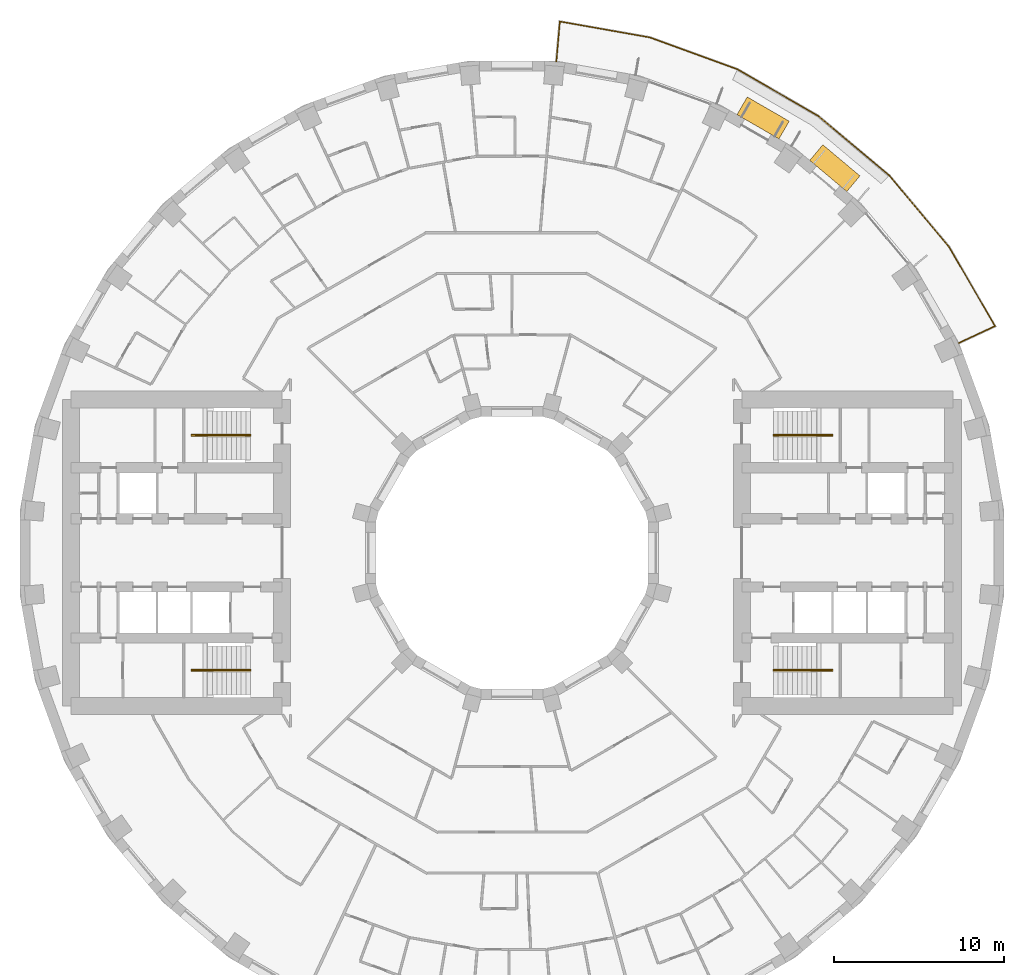
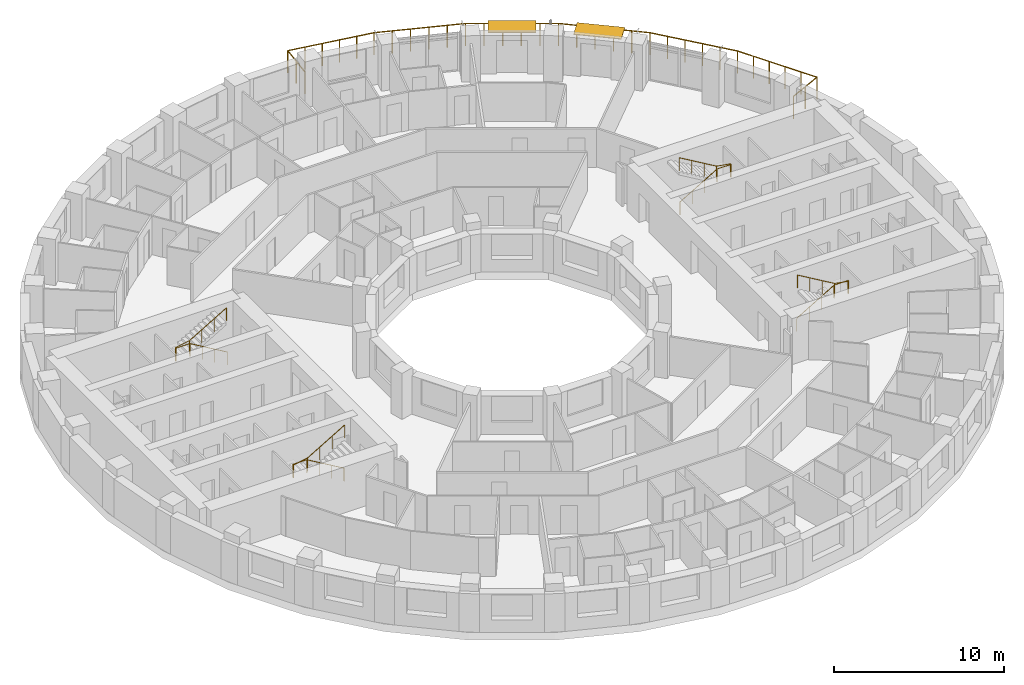
# One storey, part 15 of 15: 5 railings, 2 shading devices.
"""IFC4 building model written with IfcOpenShell, lengths in metres."""

import ifcopenshell
import ifcopenshell.guid

model = None  # the IFC model being written
_history = None  # IfcOwnerHistory: only IFC2X3 demands one
_inside = {}  # id of a spatial element -> (the spatial element, [elements in it])
_under = {}  # id of a project, library or spatial element -> (it, [spatial elements below it])
_declared = {}  # id of a project -> (the project, [libraries it declares])
_typed = {}  # id of a type object -> (the type object, [elements of that type])
_made_of = {}  # id of a material, layer set ... -> (it, [elements and type objects made of it])


def new_model(schema):
    """Start an empty IFC model of exactly this schema.

    Asked for "IFC4X3", IfcOpenShell would pick the latest addendum, in which some entities
    have other attributes; the version numbers below select the first issue.
    IFC2X3 requires an IfcOwnerHistory on every rooted entity: one is made here for all.
    """
    global model, _history
    if schema == "IFC4X3":
        model = ifcopenshell.file(schema_version=(4, 3, 0, 0))
    else:
        model = ifcopenshell.file(schema=schema)
    _inside.clear()
    _under.clear()
    _declared.clear()
    _typed.clear()
    _made_of.clear()
    _history = None
    if model.schema == "IFC2X3":
        org = make("IfcOrganization", Name="unknown")
        user = make(
            "IfcPersonAndOrganization",
            ThePerson=make("IfcPerson", FamilyName="unknown"),
            TheOrganization=org,
        )
        app = make(
            "IfcApplication",
            ApplicationDeveloper=org,
            Version="unknown",
            ApplicationFullName="unknown",
            ApplicationIdentifier="unknown",
        )
        _history = make(
            "IfcOwnerHistory",
            OwningUser=user,
            OwningApplication=app,
            ChangeAction="ADDED",
            CreationDate=0,
        )
    return model


def make(cls, **values):
    """One entity of the class cls with the attributes given. An attribute that is None is left unset."""
    return model.create_entity(
        cls, **{name: value for name, value in values.items() if value is not None}
    )


def rooted(cls, **values):
    """An entity with a GlobalId (a new one), such as an element, a storey or a relation."""
    return make(cls, GlobalId=ifcopenshell.guid.new(), OwnerHistory=_history, **values)


def si_unit(unit_type, name, prefix=None):
    """IfcSIUnit, for example si_unit("LENGTHUNIT", "METRE", prefix="MILLI")."""
    return make("IfcSIUnit", UnitType=unit_type, Prefix=prefix, Name=name)


def assignment(units):
    """IfcUnitAssignment: the units of a project."""
    return None if units is None else make("IfcUnitAssignment", Units=units)


def point(xyz):
    """IfcCartesianPoint."""
    return None if xyz is None else make("IfcCartesianPoint", Coordinates=xyz)


def direction(xyz):
    """IfcDirection."""
    return None if xyz is None else make("IfcDirection", DirectionRatios=xyz)


def frame(location, z_axis=None, x_axis=None):
    """IfcAxis2Placement3D, a coordinate frame: its origin and axes. An axis left out is left unset."""
    return make(
        "IfcAxis2Placement3D",
        Location=point(location),
        Axis=direction(z_axis),
        RefDirection=direction(x_axis),
    )


def frame_2d(location, x_axis=None):
    """IfcAxis2Placement2D, a coordinate frame in the plane: its origin and x axis."""
    return make(
        "IfcAxis2Placement2D", Location=point(location), RefDirection=direction(x_axis)
    )


def origin():
    """The frame at (0, 0, 0) with its axes left unset."""
    return frame((0.0, 0.0, 0.0))


def origin_2d():
    """The frame at (0, 0) in the plane with its x axis left unset."""
    return frame_2d((0.0, 0.0))


def place(relative_to, where):
    """IfcLocalPlacement: puts the frame where relative to a parent placement (None: the world)."""
    return make(
        "IfcLocalPlacement", PlacementRelTo=relative_to, RelativePlacement=where
    )


def context(
    kind, dimensions, precision=None, world=None, true_north=None, identifier=None
):
    """IfcGeometricRepresentationContext, for example the 3D "Model" context."""
    return make(
        "IfcGeometricRepresentationContext",
        ContextIdentifier=identifier,
        ContextType=kind,
        CoordinateSpaceDimension=dimensions,
        Precision=precision,
        WorldCoordinateSystem=world,
        TrueNorth=true_north,
    )


def subcontext(parent, identifier, kind, view, scale=None):
    """IfcGeometricRepresentationSubContext, for example "Body" below "Model"."""
    return make(
        "IfcGeometricRepresentationSubContext",
        ContextIdentifier=identifier,
        ContextType=kind,
        ParentContext=parent,
        TargetScale=scale,
        TargetView=view,
    )


def project(units=None, contexts=None):
    """IfcProject with its units and contexts."""
    return rooted(
        "IfcProject",
        Name="project",
        RepresentationContexts=contexts,
        UnitsInContext=assignment(units),
    )


def spatial(cls, under=None, at=None, **own):
    """A site, building, storey or space (cls), placed at a placement, below another one or the project."""
    s = rooted(cls, ObjectPlacement=at, **own)
    if under is not None:
        _under.setdefault(under.id(), (under, []))[1].append(s)
    return s


def profile(cls, at=None, kind="AREA", **sizes):
    """A parametric profile (cls). Its sizes go by their IFC names, for example OverallWidth=200.0."""
    return make(cls, ProfileType=kind, Position=at, **sizes)


def rectangle(**sizes):
    """IfcRectangleProfileDef."""
    return profile("IfcRectangleProfileDef", **sizes)


def circle(**sizes):
    """IfcCircleProfileDef."""
    return profile("IfcCircleProfileDef", **sizes)


def extrude(swept, where, along, depth):
    """IfcExtrudedAreaSolid: the profile swept, set in the frame where, extruded along a direction by depth."""
    return make(
        "IfcExtrudedAreaSolid",
        SweptArea=swept,
        Position=where,
        ExtrudedDirection=direction(along),
        Depth=depth,
    )


def shape(context_of_items, identifier, shape_type, items):
    """IfcShapeRepresentation: the items that make up one representation, for example the "Body"."""
    return make(
        "IfcShapeRepresentation",
        ContextOfItems=context_of_items,
        RepresentationIdentifier=identifier,
        RepresentationType=shape_type,
        Items=items,
    )


def material(Name=None, Category=None):
    """IfcMaterial."""
    return make("IfcMaterial", Name=Name, Category=Category)


def layer(
    of_material, thickness, ventilated=None, Name=None, Category=None, Priority=None
):
    """IfcMaterialLayer: one layer of a wall or slab, of a material (None: an air gap)."""
    return make(
        "IfcMaterialLayer",
        Material=of_material,
        LayerThickness=thickness,
        IsVentilated=ventilated,
        Name=Name,
        Category=Category,
        Priority=Priority,
    )


def layer_set(layers, Name=None):
    """IfcMaterialLayerSet."""
    return make("IfcMaterialLayerSet", MaterialLayers=layers, LayerSetName=Name)


def made_of(thing, what):
    """Note that an element or type object is made of a material, layer set ...; save() writes the relation."""
    if what is not None:
        _made_of.setdefault(what.id(), (what, []))[1].append(thing)
    return thing


def type_object(cls, material=None, **own):
    """A type object (cls), such as IfcWallType, which elements share."""
    return made_of(rooted(cls, **own), material)


def element(
    cls,
    number,
    at=None,
    inside=None,
    cuts=None,
    type_object=None,
    material=None,
    context=None,
    identifier="Body",
    shape_type=None,
    held_by="IfcProductDefinitionShape",
    body=None,
    shapes=None,
    **own,
):
    """One element of the class cls, such as IfcWall. Its Tag is "e" and its number.

    at: its placement. inside: the storey or other place that contains it. cuts: it is an
    opening in that element (IfcRelVoidsElement). A single representation is given by context,
    identifier, shape_type and body (its items); several are given by shapes. held_by: the class
    of the entity that holds the representations. save() writes the other relations.
    """
    e = rooted(cls, Tag="e%d" % number, ObjectPlacement=at, **own)
    if body is not None:
        shapes = [shape(context, identifier, shape_type, body)]
    if shapes is not None:
        e.Representation = make(held_by, Representations=shapes)
    if inside is not None:
        _inside.setdefault(inside.id(), (inside, []))[1].append(e)
    if cuts is not None:
        rooted(
            "IfcRelVoidsElement", RelatingBuildingElement=cuts, RelatedOpeningElement=e
        )
    if type_object is not None:
        _typed.setdefault(type_object.id(), (type_object, []))[1].append(e)
    return made_of(e, material)


def aggregate(whole, parts):
    """IfcRelAggregates: a whole, such as a stair, and the parts it consists of."""
    return rooted("IfcRelAggregates", RelatingObject=whole, RelatedObjects=parts)


def save(model, path):
    """Write the relations noted so far, then the file.

    IfcRelAggregates (storeys below a building ...), IfcRelContainedInSpatialStructure (elements
    in a storey), IfcRelDefinesByType, IfcRelAssociatesMaterial and IfcRelDeclares: one each for
    every whole, place, type object, material and project.
    """
    for whole, parts in _under.values():
        aggregate(whole, parts)
    for where, things in _inside.values():
        rooted(
            "IfcRelContainedInSpatialStructure",
            RelatedElements=things,
            RelatingStructure=where,
        )
    for kind, things in _typed.values():
        rooted("IfcRelDefinesByType", RelatedObjects=things, RelatingType=kind)
    for what, things in _made_of.values():
        rooted("IfcRelAssociatesMaterial", RelatedObjects=things, RelatingMaterial=what)
    for by, libraries in _declared.values():
        rooted("IfcRelDeclares", RelatingContext=by, RelatedDefinitions=libraries)
    model.write(path)


model = new_model("IFC4")

# Units and contexts
model_context = context("Model", 3, precision=1e-05, world=origin(), true_north=direction((0.0, 1.0)))
body_context = subcontext(model_context, "Body", "Model", "MODEL_VIEW")
ifc_project = project(units=[si_unit("LENGTHUNIT", "METRE"), si_unit("AREAUNIT", "SQUARE_METRE"), si_unit("VOLUMEUNIT", "CUBIC_METRE"), si_unit("PLANEANGLEUNIT", "RADIAN"), si_unit("MASSUNIT", "GRAM", prefix="KILO")], contexts=[model_context])

# Site, building, storey
site_placement = place(None, origin())
site = spatial("IfcSite", under=ifc_project, at=site_placement, CompositionType="ELEMENT")
building_placement = place(site_placement, origin())
building = spatial("IfcBuilding", under=site, at=building_placement, Name="Saqina Gate Tower", CompositionType="ELEMENT")
storey_placement = place(building_placement, frame((0.0, 0.0, 65.89990234375)))
storey = spatial("IfcBuildingStorey", under=building, at=storey_placement, Name="L18", CompositionType="ELEMENT", Elevation=65.89990234375)

# Shading devices
ifc_material_1 = material(Name="Aluminium and fabric awning", Category="aluminium")
ifc_layer = layer(ifc_material_1, 0.050048828125)
ifc_layer_set = layer_set([ifc_layer], Name="AW-TERRACE")
shading_device_type = type_object("IfcShadingDeviceType", Name="AW-TERRACE", PredefinedType="AWNING", material=ifc_layer_set)
for number, where, z_axis, x_axis, name in (
    (1, (18.95556640625, 22.59033203125, 2.52490234375), (0.0, 0.0, 1.0), (-0.766044443119, 0.642787609687, 0.0), "Terrace awning L18 facet 5"),
    (2, (14.744873046875, 25.538818359375, 2.52490234375), (0.0, 0.0, 1.0), (-0.866025403784, 0.5, 0.0), "Terrace awning L18 facet 6"),
):
    element("IfcShadingDevice", number, at=place(storey_placement, frame(where, z_axis=z_axis, x_axis=x_axis)), inside=storey, type_object=shading_device_type, Name=name, PredefinedType="AWNING", context=body_context, shape_type="SweptSolid", body=[
        extrude(rectangle(XDim=2.845703125, YDim=1.199951171875, at=origin_2d()), origin(), (0.0, 0.0, 1.0), 0.050048828125),
    ])

# Railings
ifc_material_2 = material(Name="Stainless steel", Category="steel")
railing_type_1 = type_object("IfcRailingType", Name="RL-TERRACE", PredefinedType="GUARDRAIL", material=ifc_material_2)
railing_1_placement = place(storey_placement, frame((26.194580078125, 12.302978515625, 0.0)))
element("IfcRailing", 3, at=railing_1_placement, inside=storey, type_object=railing_type_1, Name="Terrace guard L18", PredefinedType="GUARDRAIL", context=body_context, shape_type="SweptSolid", body=[
    extrude(circle(Radius=0.02392578125, at=origin_2d()), frame((0.0, 0.0, 1.576171875), z_axis=(0.906295364449, 0.422644901044, 0.0), x_axis=(-0.422644901044, 0.906295364449, 0.0)), (0.0, 0.0, 1.0), 2.38916015625),
    extrude(circle(Radius=0.02392578125, at=origin_2d()), frame((2.165283203125, 1.009765625, 1.576171875), z_axis=(-0.50114357045, 0.8653641556, 0.0), x_axis=(-0.8653641556, -0.50114357045, 0.0)), (0.0, 0.0, 1.0), 5.38134765625),
    extrude(circle(Radius=0.02392578125, at=origin_2d()), frame((-0.531494140625, 5.66650390625, 1.576171875), z_axis=(-0.642788339532, 0.766043830705, 0.0), x_axis=(-0.766043830705, -0.642788339532, 0.0)), (0.0, 0.0, 1.0), 5.4609375),
    extrude(circle(Radius=0.02392578125, at=origin_2d()), frame((-4.041748046875, 9.849853515625, 1.576171875), z_axis=(-0.766043830705, 0.642788339532, 0.0), x_axis=(-0.642788339532, -0.766043830705, 0.0)), (0.0, 0.0, 1.0), 5.4609375),
    extrude(circle(Radius=0.02392578125, at=origin_2d()), frame((-8.22509765625, 13.360107421875, 1.576171875), z_axis=(-0.866033716285, 0.499985602051, 0.0), x_axis=(-0.499985602051, -0.866033716285, 0.0)), (0.0, 0.0, 1.0), 5.461181640625),
    extrude(circle(Radius=0.02392578125, at=origin_2d()), frame((-12.95458984375, 16.090576171875, 1.576171875), z_axis=(-0.939682423935, 0.342048157644, 0.0), x_axis=(-0.342048157644, -0.939682423935, 0.0)), (0.0, 0.0, 1.0), 5.4609375),
    extrude(circle(Radius=0.02392578125, at=origin_2d()), frame((-18.086181640625, 17.95849609375, 1.576171875), z_axis=(-0.98458560798, 0.174903346333, 0.0), x_axis=(-0.174903346333, -0.98458560798, 0.0)), (0.0, 0.0, 1.0), 5.381103515625),
    extrude(circle(Radius=0.02392578125, at=origin_2d()), frame((-23.38427734375, 18.899658203125, 1.576171875), z_axis=(-0.087180896688, -0.996192497087, 0.0), x_axis=(0.996192497087, -0.087180896688, 0.0)), (0.0, 0.0, 1.0), 2.388671875),
    extrude(circle(Radius=0.02099609375, at=origin_2d()), origin(), (0.0, 0.0, 1.0), 1.552001953125),
    extrude(circle(Radius=0.02099609375, at=origin_2d()), frame((1.08251953125, 0.5048828125, 0.0)), (0.0, 0.0, 1.0), 1.552001953125),
    extrude(circle(Radius=0.02099609375, at=origin_2d()), frame((2.165283203125, 1.009765625, 0.0)), (0.0, 0.0, 1.0), 1.552001953125),
    extrude(circle(Radius=0.02099609375, at=origin_2d()), frame((1.6259765625, 1.941162109375, 0.0)), (0.0, 0.0, 1.0), 1.552001953125),
    extrude(circle(Radius=0.02099609375, at=origin_2d()), frame((1.086669921875, 2.87255859375, 0.0)), (0.0, 0.0, 1.0), 1.552001953125),
    extrude(circle(Radius=0.02099609375, at=origin_2d()), frame((0.547119140625, 3.8037109375, 0.0)), (0.0, 0.0, 1.0), 1.552001953125),
    extrude(circle(Radius=0.02099609375, at=origin_2d()), frame((0.0078125, 4.735107421875, 0.0)), (0.0, 0.0, 1.0), 1.552001953125),
    extrude(circle(Radius=0.02099609375, at=origin_2d()), frame((-0.531494140625, 5.66650390625, 0.0)), (0.0, 0.0, 1.0), 1.552001953125),
    extrude(circle(Radius=0.02099609375, at=origin_2d()), frame((-1.233642578125, 6.503173828125, 0.0)), (0.0, 0.0, 1.0), 1.552001953125),
    extrude(circle(Radius=0.02099609375, at=origin_2d()), frame((-1.935546875, 7.33984375, 0.0)), (0.0, 0.0, 1.0), 1.552001953125),
    extrude(circle(Radius=0.02099609375, at=origin_2d()), frame((-2.6376953125, 8.176513671875, 0.0)), (0.0, 0.0, 1.0), 1.552001953125),
    extrude(circle(Radius=0.02099609375, at=origin_2d()), frame((-3.339599609375, 9.01318359375, 0.0)), (0.0, 0.0, 1.0), 1.552001953125),
    extrude(circle(Radius=0.02099609375, at=origin_2d()), frame((-4.041748046875, 9.849853515625, 0.0)), (0.0, 0.0, 1.0), 1.552001953125),
    extrude(circle(Radius=0.02099609375, at=origin_2d()), frame((-4.87841796875, 10.552001953125, 0.0)), (0.0, 0.0, 1.0), 1.552001953125),
    extrude(circle(Radius=0.02099609375, at=origin_2d()), frame((-5.715087890625, 11.25390625, 0.0)), (0.0, 0.0, 1.0), 1.552001953125),
    extrude(circle(Radius=0.02099609375, at=origin_2d()), frame((-6.5517578125, 11.9560546875, 0.0)), (0.0, 0.0, 1.0), 1.552001953125),
    extrude(circle(Radius=0.02099609375, at=origin_2d()), frame((-7.388427734375, 12.657958984375, 0.0)), (0.0, 0.0, 1.0), 1.552001953125),
    extrude(circle(Radius=0.02099609375, at=origin_2d()), frame((-8.22509765625, 13.360107421875, 0.0)), (0.0, 0.0, 1.0), 1.552001953125),
    extrude(circle(Radius=0.02099609375, at=origin_2d()), frame((-9.1708984375, 13.90625, 0.0)), (0.0, 0.0, 1.0), 1.552001953125),
    extrude(circle(Radius=0.02099609375, at=origin_2d()), frame((-10.116943359375, 14.452392578125, 0.0)), (0.0, 0.0, 1.0), 1.552001953125),
    extrude(circle(Radius=0.02099609375, at=origin_2d()), frame((-11.062744140625, 14.998291015625, 0.0)), (0.0, 0.0, 1.0), 1.552001953125),
    extrude(circle(Radius=0.02099609375, at=origin_2d()), frame((-12.0087890625, 15.54443359375, 0.0)), (0.0, 0.0, 1.0), 1.552001953125),
    extrude(circle(Radius=0.02099609375, at=origin_2d()), frame((-12.95458984375, 16.090576171875, 0.0)), (0.0, 0.0, 1.0), 1.552001953125),
    extrude(circle(Radius=0.02099609375, at=origin_2d()), frame((-13.98095703125, 16.464111328125, 0.0)), (0.0, 0.0, 1.0), 1.552001953125),
    extrude(circle(Radius=0.02099609375, at=origin_2d()), frame((-15.00732421875, 16.837646484375, 0.0)), (0.0, 0.0, 1.0), 1.552001953125),
    extrude(circle(Radius=0.02099609375, at=origin_2d()), frame((-16.033447265625, 17.21142578125, 0.0)), (0.0, 0.0, 1.0), 1.552001953125),
    extrude(circle(Radius=0.02099609375, at=origin_2d()), frame((-17.059814453125, 17.5849609375, 0.0)), (0.0, 0.0, 1.0), 1.552001953125),
    extrude(circle(Radius=0.02099609375, at=origin_2d()), frame((-18.086181640625, 17.95849609375, 0.0)), (0.0, 0.0, 1.0), 1.552001953125),
    extrude(circle(Radius=0.02099609375, at=origin_2d()), frame((-19.145751953125, 18.146728515625, 0.0)), (0.0, 0.0, 1.0), 1.552001953125),
    extrude(circle(Radius=0.02099609375, at=origin_2d()), frame((-20.205322265625, 18.3349609375, 0.0)), (0.0, 0.0, 1.0), 1.552001953125),
    extrude(circle(Radius=0.02099609375, at=origin_2d()), frame((-21.26513671875, 18.523193359375, 0.0)), (0.0, 0.0, 1.0), 1.552001953125),
    extrude(circle(Radius=0.02099609375, at=origin_2d()), frame((-22.32470703125, 18.71142578125, 0.0)), (0.0, 0.0, 1.0), 1.552001953125),
    extrude(circle(Radius=0.02099609375, at=origin_2d()), frame((-23.38427734375, 18.899658203125, 0.0)), (0.0, 0.0, 1.0), 1.552001953125),
    extrude(circle(Radius=0.02099609375, at=origin_2d()), frame((-23.48828125, 17.7099609375, 0.0)), (0.0, 0.0, 1.0), 1.552001953125),
    extrude(circle(Radius=0.02099609375, at=origin_2d()), frame((-23.592529296875, 16.52001953125, 0.0)), (0.0, 0.0, 1.0), 1.552001953125),
])
ifc_material_3 = material(Name="Stainless steel", Category="steel")
railing_type_2 = type_object("IfcRailingType", Name="STAIR HANDRAIL", PredefinedType="HANDRAIL", material=ifc_material_3)
railing_2_placement = place(storey_placement, frame((15.35009765625, 6.86669921875, 0.1650390625)))
element("IfcRailing", 4, at=railing_2_placement, inside=storey, type_object=railing_type_2, Name="EXIT STAIR 1 HANDRAIL", PredefinedType="HANDRAIL", context=body_context, shape_type="SweptSolid", body=[
    extrude(circle(Radius=0.02392578125, at=origin_2d()), frame((0.0, 0.0, 0.92578125), z_axis=(0.86152411907, 0.0, 0.507716645641), x_axis=(0.0, 1.0, 0.0)), (0.0, 0.0, 1.0), 2.925048828125),
    extrude(circle(Radius=0.02392578125, at=origin_2d()), frame((2.52001953125, 0.0, 2.4111328125), z_axis=(1.0, 0.0, 0.0), x_axis=(0.0, 1.0, 0.0)), (0.0, 0.0, 1.0), 0.949951171875),
    extrude(circle(Radius=0.02392578125, at=origin_2d()), frame((3.469970703125, 0.0, 2.4111328125), z_axis=(0.0, 1.0, 0.0), x_axis=(-1.0, 0.0, 0.0)), (0.0, 0.0, 1.0), 0.066650390625),
    extrude(circle(Radius=0.02392578125, at=origin_2d()), frame((3.469970703125, 0.066650390625, 2.4111328125), z_axis=(-0.985241474778, 0.0, 0.171170197109), x_axis=(0.0, -1.0, 0.0)), (0.0, 0.0, 1.0), 0.964111328125),
    extrude(circle(Radius=0.02392578125, at=origin_2d()), frame((2.52001953125, 0.066650390625, 2.576171875), z_axis=(-0.861560626758, 0.0, 0.507654692109), x_axis=(0.0, -1.0, 0.0)), (0.0, 0.0, 1.0), 2.925048828125),
    extrude(circle(Radius=0.02099609375, at=origin_2d()), origin(), (0.0, 0.0, 1.0), 0.90185546875),
    extrude(circle(Radius=0.02099609375, at=origin_2d()), frame((0.840087890625, 0.0, 0.4951171875)), (0.0, 0.0, 1.0), 0.90185546875),
    extrude(circle(Radius=0.02099609375, at=origin_2d()), frame((1.679931640625, 0.0, 0.989990234375)), (0.0, 0.0, 1.0), 0.90185546875),
    extrude(circle(Radius=0.02099609375, at=origin_2d()), frame((2.52001953125, 0.0, 1.485107421875)), (0.0, 0.0, 1.0), 0.90185546875),
    extrude(circle(Radius=0.02099609375, at=origin_2d()), frame((3.469970703125, 0.0, 1.485107421875)), (0.0, 0.0, 1.0), 0.90185546875),
    extrude(circle(Radius=0.02099609375, at=origin_2d()), frame((3.469970703125, 0.066650390625, 1.485107421875)), (0.0, 0.0, 1.0), 0.90185546875),
    extrude(circle(Radius=0.02099609375, at=origin_2d()), frame((2.52001953125, 0.066650390625, 1.650146484375)), (0.0, 0.0, 1.0), 0.90185546875),
    extrude(circle(Radius=0.02099609375, at=origin_2d()), frame((1.679931640625, 0.066650390625, 2.14501953125)), (0.0, 0.0, 1.0), 0.90185546875),
    extrude(circle(Radius=0.02099609375, at=origin_2d()), frame((0.840087890625, 0.066650390625, 2.64013671875)), (0.0, 0.0, 1.0), 0.90185546875),
    extrude(circle(Radius=0.02099609375, at=origin_2d()), frame((0.0, 0.066650390625, 3.135009765625)), (0.0, 0.0, 1.0), 0.90185546875),
])
railing_3_placement = place(storey_placement, frame((15.35009765625, -6.86669921875, 0.1650390625)))
element("IfcRailing", 5, at=railing_3_placement, inside=storey, type_object=railing_type_2, Name="EXIT STAIR 2 HANDRAIL", PredefinedType="HANDRAIL", context=body_context, shape_type="SweptSolid", body=[
    extrude(circle(Radius=0.02392578125, at=origin_2d()), frame((0.0, 0.0, 0.92578125), z_axis=(0.86152411907, 0.0, 0.507716645641), x_axis=(0.0, 1.0, 0.0)), (0.0, 0.0, 1.0), 2.925048828125),
    extrude(circle(Radius=0.02392578125, at=origin_2d()), frame((2.52001953125, 0.0, 2.4111328125), z_axis=(1.0, 0.0, 0.0), x_axis=(0.0, 1.0, 0.0)), (0.0, 0.0, 1.0), 0.949951171875),
    extrude(circle(Radius=0.02392578125, at=origin_2d()), frame((3.469970703125, 0.0, 2.4111328125), z_axis=(0.0, -1.0, 0.0), x_axis=(1.0, 0.0, 0.0)), (0.0, 0.0, 1.0), 0.066650390625),
    extrude(circle(Radius=0.02392578125, at=origin_2d()), frame((3.469970703125, -0.066650390625, 2.4111328125), z_axis=(-0.985241474778, 0.0, 0.171170197109), x_axis=(0.0, -1.0, 0.0)), (0.0, 0.0, 1.0), 0.964111328125),
    extrude(circle(Radius=0.02392578125, at=origin_2d()), frame((2.52001953125, -0.066650390625, 2.576171875), z_axis=(-0.861560626758, 0.0, 0.507654692109), x_axis=(0.0, -1.0, 0.0)), (0.0, 0.0, 1.0), 2.925048828125),
    extrude(circle(Radius=0.02099609375, at=origin_2d()), origin(), (0.0, 0.0, 1.0), 0.90185546875),
    extrude(circle(Radius=0.02099609375, at=origin_2d()), frame((0.840087890625, 0.0, 0.4951171875)), (0.0, 0.0, 1.0), 0.90185546875),
    extrude(circle(Radius=0.02099609375, at=origin_2d()), frame((1.679931640625, 0.0, 0.989990234375)), (0.0, 0.0, 1.0), 0.90185546875),
    extrude(circle(Radius=0.02099609375, at=origin_2d()), frame((2.52001953125, 0.0, 1.485107421875)), (0.0, 0.0, 1.0), 0.90185546875),
    extrude(circle(Radius=0.02099609375, at=origin_2d()), frame((3.469970703125, 0.0, 1.485107421875)), (0.0, 0.0, 1.0), 0.90185546875),
    extrude(circle(Radius=0.02099609375, at=origin_2d()), frame((3.469970703125, -0.066650390625, 1.485107421875)), (0.0, 0.0, 1.0), 0.90185546875),
    extrude(circle(Radius=0.02099609375, at=origin_2d()), frame((2.52001953125, -0.066650390625, 1.650146484375)), (0.0, 0.0, 1.0), 0.90185546875),
    extrude(circle(Radius=0.02099609375, at=origin_2d()), frame((1.679931640625, -0.066650390625, 2.14501953125)), (0.0, 0.0, 1.0), 0.90185546875),
    extrude(circle(Radius=0.02099609375, at=origin_2d()), frame((0.840087890625, -0.066650390625, 2.64013671875)), (0.0, 0.0, 1.0), 0.90185546875),
    extrude(circle(Radius=0.02099609375, at=origin_2d()), frame((0.0, -0.066650390625, 3.135009765625)), (0.0, 0.0, 1.0), 0.90185546875),
])
railing_4_placement = place(storey_placement, frame((-15.35009765625, 6.86669921875, 0.1650390625)))
element("IfcRailing", 6, at=railing_4_placement, inside=storey, type_object=railing_type_2, Name="EXIT STAIR 3 HANDRAIL", PredefinedType="HANDRAIL", context=body_context, shape_type="SweptSolid", body=[
    extrude(circle(Radius=0.02392578125, at=origin_2d()), frame((0.0, 0.0, 0.92578125), z_axis=(-0.86152411907, 0.0, 0.507716645641), x_axis=(0.0, -1.0, 0.0)), (0.0, 0.0, 1.0), 2.925048828125),
    extrude(circle(Radius=0.02392578125, at=origin_2d()), frame((-2.52001953125, 0.0, 2.4111328125), z_axis=(-1.0, 0.0, 0.0), x_axis=(0.0, -1.0, 0.0)), (0.0, 0.0, 1.0), 0.949951171875),
    extrude(circle(Radius=0.02392578125, at=origin_2d()), frame((-3.469970703125, 0.0, 2.4111328125), z_axis=(0.0, 1.0, 0.0), x_axis=(-1.0, 0.0, 0.0)), (0.0, 0.0, 1.0), 0.066650390625),
    extrude(circle(Radius=0.02392578125, at=origin_2d()), frame((-3.469970703125, 0.066650390625, 2.4111328125), z_axis=(0.985241474778, 0.0, 0.171170197109), x_axis=(0.0, 1.0, 0.0)), (0.0, 0.0, 1.0), 0.964111328125),
    extrude(circle(Radius=0.02392578125, at=origin_2d()), frame((-2.52001953125, 0.066650390625, 2.576171875), z_axis=(0.861560626758, 0.0, 0.507654692109), x_axis=(0.0, 1.0, 0.0)), (0.0, 0.0, 1.0), 2.925048828125),
    extrude(circle(Radius=0.02099609375, at=origin_2d()), origin(), (0.0, 0.0, 1.0), 0.90185546875),
    extrude(circle(Radius=0.02099609375, at=origin_2d()), frame((-0.840087890625, 0.0, 0.4951171875)), (0.0, 0.0, 1.0), 0.90185546875),
    extrude(circle(Radius=0.02099609375, at=origin_2d()), frame((-1.679931640625, 0.0, 0.989990234375)), (0.0, 0.0, 1.0), 0.90185546875),
    extrude(circle(Radius=0.02099609375, at=origin_2d()), frame((-2.52001953125, 0.0, 1.485107421875)), (0.0, 0.0, 1.0), 0.90185546875),
    extrude(circle(Radius=0.02099609375, at=origin_2d()), frame((-3.469970703125, 0.0, 1.485107421875)), (0.0, 0.0, 1.0), 0.90185546875),
    extrude(circle(Radius=0.02099609375, at=origin_2d()), frame((-3.469970703125, 0.066650390625, 1.485107421875)), (0.0, 0.0, 1.0), 0.90185546875),
    extrude(circle(Radius=0.02099609375, at=origin_2d()), frame((-2.52001953125, 0.066650390625, 1.650146484375)), (0.0, 0.0, 1.0), 0.90185546875),
    extrude(circle(Radius=0.02099609375, at=origin_2d()), frame((-1.679931640625, 0.066650390625, 2.14501953125)), (0.0, 0.0, 1.0), 0.90185546875),
    extrude(circle(Radius=0.02099609375, at=origin_2d()), frame((-0.840087890625, 0.066650390625, 2.64013671875)), (0.0, 0.0, 1.0), 0.90185546875),
    extrude(circle(Radius=0.02099609375, at=origin_2d()), frame((0.0, 0.066650390625, 3.135009765625)), (0.0, 0.0, 1.0), 0.90185546875),
])
railing_5_placement = place(storey_placement, frame((-15.35009765625, -6.86669921875, 0.1650390625)))
element("IfcRailing", 7, at=railing_5_placement, inside=storey, type_object=railing_type_2, Name="EXIT STAIR 4 HANDRAIL", PredefinedType="HANDRAIL", context=body_context, shape_type="SweptSolid", body=[
    extrude(circle(Radius=0.02392578125, at=origin_2d()), frame((0.0, 0.0, 0.92578125), z_axis=(-0.86152411907, 0.0, 0.507716645641), x_axis=(0.0, -1.0, 0.0)), (0.0, 0.0, 1.0), 2.925048828125),
    extrude(circle(Radius=0.02392578125, at=origin_2d()), frame((-2.52001953125, 0.0, 2.4111328125), z_axis=(-1.0, 0.0, 0.0), x_axis=(0.0, -1.0, 0.0)), (0.0, 0.0, 1.0), 0.949951171875),
    extrude(circle(Radius=0.02392578125, at=origin_2d()), frame((-3.469970703125, 0.0, 2.4111328125), z_axis=(0.0, -1.0, 0.0), x_axis=(1.0, 0.0, 0.0)), (0.0, 0.0, 1.0), 0.066650390625),
    extrude(circle(Radius=0.02392578125, at=origin_2d()), frame((-3.469970703125, -0.066650390625, 2.4111328125), z_axis=(0.985241474778, 0.0, 0.171170197109), x_axis=(0.0, 1.0, 0.0)), (0.0, 0.0, 1.0), 0.964111328125),
    extrude(circle(Radius=0.02392578125, at=origin_2d()), frame((-2.52001953125, -0.066650390625, 2.576171875), z_axis=(0.861560626758, 0.0, 0.507654692109), x_axis=(0.0, 1.0, 0.0)), (0.0, 0.0, 1.0), 2.925048828125),
    extrude(circle(Radius=0.02099609375, at=origin_2d()), origin(), (0.0, 0.0, 1.0), 0.90185546875),
    extrude(circle(Radius=0.02099609375, at=origin_2d()), frame((-0.840087890625, 0.0, 0.4951171875)), (0.0, 0.0, 1.0), 0.90185546875),
    extrude(circle(Radius=0.02099609375, at=origin_2d()), frame((-1.679931640625, 0.0, 0.989990234375)), (0.0, 0.0, 1.0), 0.90185546875),
    extrude(circle(Radius=0.02099609375, at=origin_2d()), frame((-2.52001953125, 0.0, 1.485107421875)), (0.0, 0.0, 1.0), 0.90185546875),
    extrude(circle(Radius=0.02099609375, at=origin_2d()), frame((-3.469970703125, 0.0, 1.485107421875)), (0.0, 0.0, 1.0), 0.90185546875),
    extrude(circle(Radius=0.02099609375, at=origin_2d()), frame((-3.469970703125, -0.066650390625, 1.485107421875)), (0.0, 0.0, 1.0), 0.90185546875),
    extrude(circle(Radius=0.02099609375, at=origin_2d()), frame((-2.52001953125, -0.066650390625, 1.650146484375)), (0.0, 0.0, 1.0), 0.90185546875),
    extrude(circle(Radius=0.02099609375, at=origin_2d()), frame((-1.679931640625, -0.066650390625, 2.14501953125)), (0.0, 0.0, 1.0), 0.90185546875),
    extrude(circle(Radius=0.02099609375, at=origin_2d()), frame((-0.840087890625, -0.066650390625, 2.64013671875)), (0.0, 0.0, 1.0), 0.90185546875),
    extrude(circle(Radius=0.02099609375, at=origin_2d()), frame((0.0, -0.066650390625, 3.135009765625)), (0.0, 0.0, 1.0), 0.90185546875),
])

save(model, "model.ifc")
